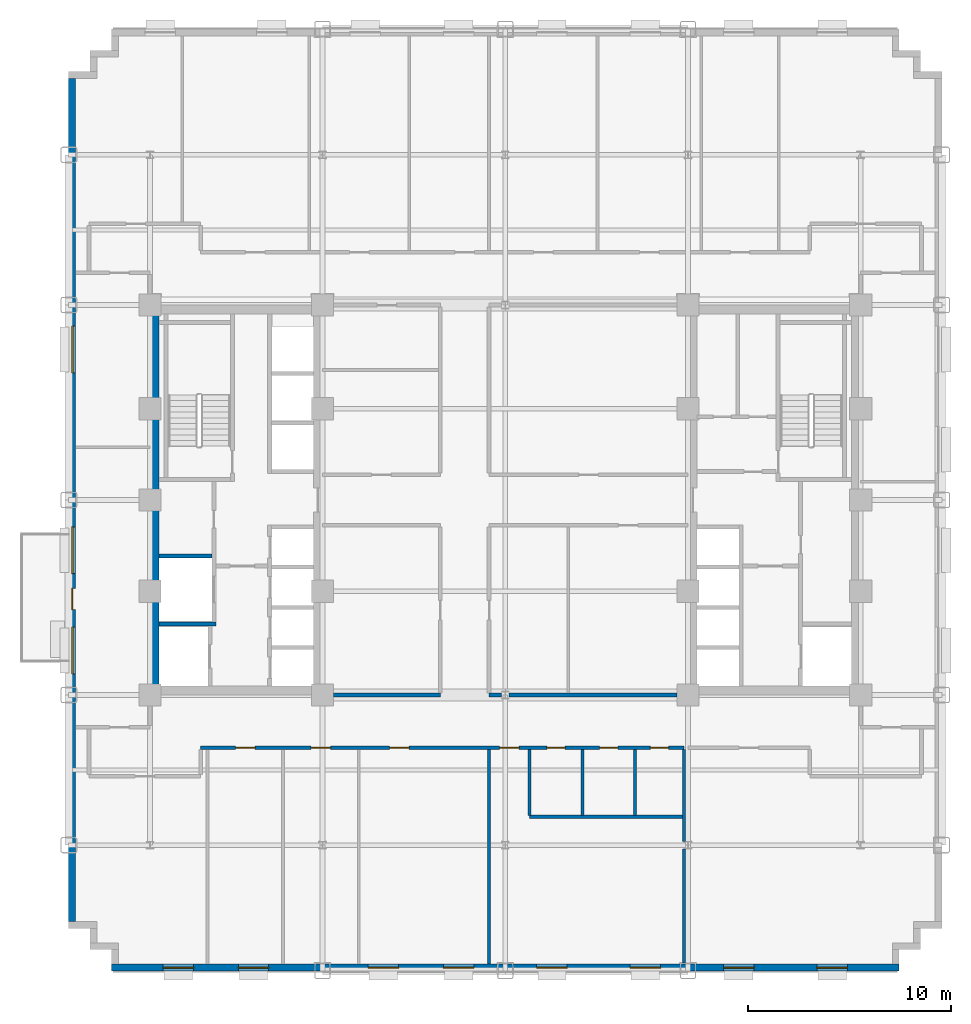
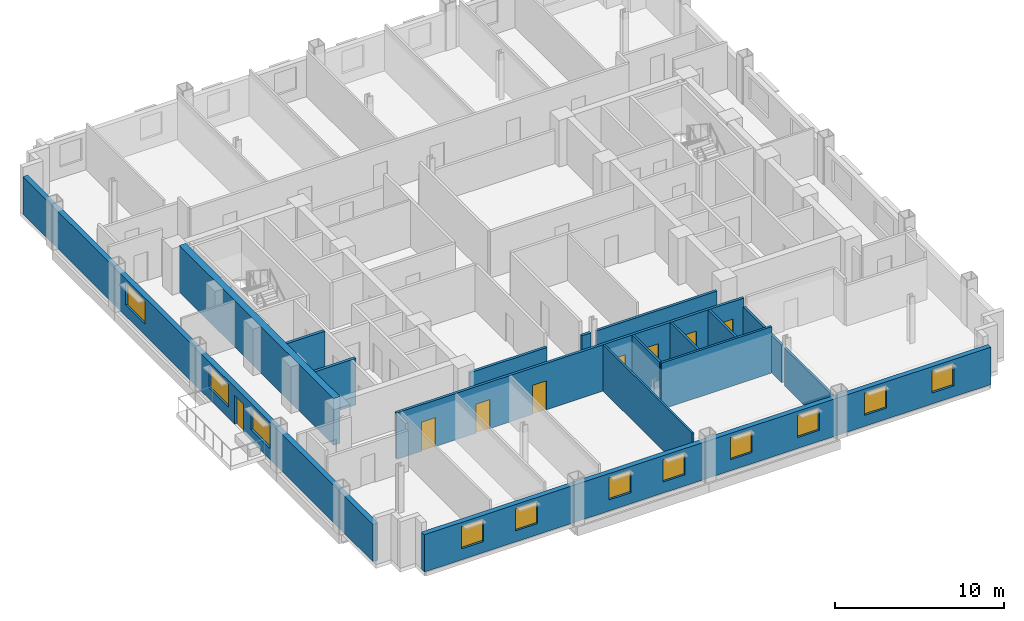
# One storey, part 6 of 14: 16 walls, 11 windows, 8 doors, 19 openings.
"""IFC4 building model written with IfcOpenShell, lengths in metres."""

from ifc_helpers import new_model, si_unit, direction, frame, frame_2d, origin, place, context, subcontext, project, spatial, rectangle, extrude, source, transform, mapped, material, layer, layer_set, type_object, type_shapes, element, fill, save


model = new_model("IFC4")

# Units and contexts
model_context = context("Model", 3, precision=1e-05, world=origin(), true_north=direction((0.0, 1.0)))
body_context = subcontext(model_context, "Body", "Model", "MODEL_VIEW")
ifc_project = project(units=[si_unit("LENGTHUNIT", "METRE"), si_unit("AREAUNIT", "SQUARE_METRE"), si_unit("VOLUMEUNIT", "CUBIC_METRE"), si_unit("PLANEANGLEUNIT", "RADIAN"), si_unit("MASSUNIT", "GRAM", prefix="KILO")], contexts=[model_context])

# Site, building, storey
site_placement = place(None, origin())
site = spatial("IfcSite", under=ifc_project, at=site_placement, CompositionType="ELEMENT")
building_placement = place(site_placement, origin())
building = spatial("IfcBuilding", under=site, at=building_placement, Name="Nuvemarco Arch Tower", CompositionType="ELEMENT")
storey_placement = place(building_placement, frame((0.0, 0.0, 67.75)))
storey = spatial("IfcBuildingStorey", under=building, at=storey_placement, Name="L17", CompositionType="ELEMENT", Elevation=67.75)

# Wall, openings, windows
ifc_material_1 = material(Name="Precast concrete C45/55", Category="concrete")
ifc_layer_1 = layer(ifc_material_1, 0.340087890625, Name="EW-LOW-340")
ifc_layer_set_1 = layer_set([ifc_layer_1], Name="Precast concrete C45/55")
wall_type_1 = type_object("IfcWallType", Name="EW-LOW-340", PredefinedType="STANDARD", material=ifc_layer_set_1)
wall_1_placement = place(storey_placement, frame((-19.39990234375, -23.030029296875, 0.0), z_axis=(0.0, 0.0, 1.0), x_axis=(1.0, 0.0, 0.0)))
wall_1 = element("IfcWall", 1, at=wall_1_placement, inside=storey, type_object=wall_type_1, Name="L17 exterior precast facade wall 1", PredefinedType="STANDARD", context=body_context, shape_type="SweptSolid", body=[
    extrude(rectangle(XDim=38.7998046875, YDim=0.340087890625, at=frame_2d((19.39990234375, 0.0))), origin(), (0.0, 0.0, 1.0), 2.705078125),
])
opening_1_placement = place(wall_1_placement, frame((2.550048828125, 0.0, 0.800048828125)))
opening_1 = element("IfcOpeningElement", 2, at=opening_1_placement, cuts=wall_1, Name="Opening WN-11", PredefinedType="OPENING", context=body_context, shape_type="SweptSolid", body=[
    extrude(rectangle(XDim=1.5, YDim=1.60009765625, at=frame_2d((0.75, 0.800048828125))), frame((0.0, 0.179931640625, 0.0), z_axis=(0.0, -1.0, 0.0), x_axis=(1.0, 0.0, 0.0)), (0.0, 0.0, 1.0), 0.360107421875),
])
opening_2_placement = place(wall_1_placement, frame((6.25, 0.0, 0.800048828125)))
opening_2 = element("IfcOpeningElement", 3, at=opening_2_placement, cuts=wall_1, Name="Opening WN-11", PredefinedType="OPENING", context=body_context, shape_type="SweptSolid", body=[
    extrude(rectangle(XDim=1.5, YDim=1.60009765625, at=frame_2d((0.75, 0.800048828125))), frame((0.0, 0.179931640625, 0.0), z_axis=(0.0, -1.0, 0.0), x_axis=(1.0, 0.0, 0.0)), (0.0, 0.0, 1.0), 0.360107421875),
])
opening_3_placement = place(wall_1_placement, frame((12.64990234375, 0.0, 0.800048828125)))
opening_3 = element("IfcOpeningElement", 4, at=opening_3_placement, cuts=wall_1, Name="Opening WN-11", PredefinedType="OPENING", context=body_context, shape_type="SweptSolid", body=[
    extrude(rectangle(XDim=1.5, YDim=1.60009765625, at=frame_2d((0.75, 0.800048828125))), frame((0.0, 0.179931640625, 0.0), z_axis=(0.0, -1.0, 0.0), x_axis=(1.0, 0.0, 0.0)), (0.0, 0.0, 1.0), 0.360107421875),
])
opening_4_placement = place(wall_1_placement, frame((16.35009765625, 0.0, 0.800048828125)))
opening_4 = element("IfcOpeningElement", 5, at=opening_4_placement, cuts=wall_1, Name="Opening WN-11", PredefinedType="OPENING", context=body_context, shape_type="SweptSolid", body=[
    extrude(rectangle(XDim=1.5, YDim=1.60009765625, at=frame_2d((0.75, 0.800048828125))), frame((0.0, 0.179931640625, 0.0), z_axis=(0.0, -1.0, 0.0), x_axis=(1.0, 0.0, 0.0)), (0.0, 0.0, 1.0), 0.360107421875),
])
opening_5_placement = place(wall_1_placement, frame((20.949951171875, 0.0, 0.800048828125)))
opening_5 = element("IfcOpeningElement", 6, at=opening_5_placement, cuts=wall_1, Name="Opening WN-11", PredefinedType="OPENING", context=body_context, shape_type="SweptSolid", body=[
    extrude(rectangle(XDim=1.5, YDim=1.60009765625, at=frame_2d((0.75, 0.800048828125))), frame((0.0, 0.179931640625, 0.0), z_axis=(0.0, -1.0, 0.0), x_axis=(1.0, 0.0, 0.0)), (0.0, 0.0, 1.0), 0.360107421875),
])
opening_6_placement = place(wall_1_placement, frame((25.550048828125, 0.0, 0.800048828125)))
opening_6 = element("IfcOpeningElement", 7, at=opening_6_placement, cuts=wall_1, Name="Opening WN-11", PredefinedType="OPENING", context=body_context, shape_type="SweptSolid", body=[
    extrude(rectangle(XDim=1.5, YDim=1.60009765625, at=frame_2d((0.75, 0.800048828125))), frame((0.0, 0.179931640625, 0.0), z_axis=(0.0, -1.0, 0.0), x_axis=(1.0, 0.0, 0.0)), (0.0, 0.0, 1.0), 0.360107421875),
])
opening_7_placement = place(wall_1_placement, frame((30.14990234375, 0.0, 0.800048828125)))
opening_7 = element("IfcOpeningElement", 8, at=opening_7_placement, cuts=wall_1, Name="Opening WN-11", PredefinedType="OPENING", context=body_context, shape_type="SweptSolid", body=[
    extrude(rectangle(XDim=1.5, YDim=1.60009765625, at=frame_2d((0.75, 0.800048828125))), frame((0.0, 0.179931640625, 0.0), z_axis=(0.0, -1.0, 0.0), x_axis=(1.0, 0.0, 0.0)), (0.0, 0.0, 1.0), 0.360107421875),
])
opening_8_placement = place(wall_1_placement, frame((34.75, 0.0, 0.800048828125)))
opening_8 = element("IfcOpeningElement", 9, at=opening_8_placement, cuts=wall_1, Name="Opening WN-11", PredefinedType="OPENING", context=body_context, shape_type="SweptSolid", body=[
    extrude(rectangle(XDim=1.5, YDim=1.60009765625, at=frame_2d((0.75, 0.800048828125))), frame((0.0, 0.179931640625, 0.0), z_axis=(0.0, -1.0, 0.0), x_axis=(1.0, 0.0, 0.0)), (0.0, 0.0, 1.0), 0.360107421875),
])
ifc_material_2 = material(Name="Insulated solar-control glass", Category="glass")
window_type_1 = type_object("IfcWindowType", Name="WN-STEP-1500x1850", PartitioningType="SINGLE_PANEL", PredefinedType="WINDOW", material=ifc_material_2)
shared_shape_1 = source(origin(), body_context, "Body", "SweptSolid", [
    extrude(rectangle(XDim=1.5, YDim=1.60009765625, at=frame_2d((0.75, 0.800048828125))), frame((0.0, 0.030029296875, 0.0), z_axis=(0.0, -1.0, 0.0), x_axis=(1.0, 0.0, 0.0)), (0.0, 0.0, 1.0), 0.06005859375),
])
type_shapes(window_type_1, [shared_shape_1])
window_1_placement = place(opening_1_placement, origin())
window_1 = element("IfcWindow", 10, at=window_1_placement, inside=storey, type_object=window_type_1, Name="L17 punched facade window 1", OverallHeight=1.60009765625, OverallWidth=1.5, PartitioningType="SINGLE_PANEL", PredefinedType="WINDOW", context=body_context, shape_type="MappedRepresentation", body=[
    mapped(shared_shape_1, transform((0.0, 0.0, 0.0), scale=1.0)),
])
fill(opening_1, window_1)
window_2_placement = place(opening_2_placement, origin())
window_2 = element("IfcWindow", 11, at=window_2_placement, inside=storey, type_object=window_type_1, Name="L17 punched facade window 2", OverallHeight=1.60009765625, OverallWidth=1.5, PartitioningType="SINGLE_PANEL", PredefinedType="WINDOW", context=body_context, shape_type="MappedRepresentation", body=[
    mapped(shared_shape_1, transform((0.0, 0.0, 0.0), scale=1.0)),
])
fill(opening_2, window_2)
window_3_placement = place(opening_3_placement, origin())
window_3 = element("IfcWindow", 12, at=window_3_placement, inside=storey, type_object=window_type_1, Name="L17 punched facade window 3", OverallHeight=1.60009765625, OverallWidth=1.5, PartitioningType="SINGLE_PANEL", PredefinedType="WINDOW", context=body_context, shape_type="MappedRepresentation", body=[
    mapped(shared_shape_1, transform((0.0, 0.0, 0.0), scale=1.0)),
])
fill(opening_3, window_3)
window_4_placement = place(opening_4_placement, origin())
window_4 = element("IfcWindow", 13, at=window_4_placement, inside=storey, type_object=window_type_1, Name="L17 punched facade window 4", OverallHeight=1.60009765625, OverallWidth=1.5, PartitioningType="SINGLE_PANEL", PredefinedType="WINDOW", context=body_context, shape_type="MappedRepresentation", body=[
    mapped(shared_shape_1, transform((0.0, 0.0, 0.0), scale=1.0)),
])
fill(opening_4, window_4)
window_5_placement = place(opening_5_placement, origin())
window_5 = element("IfcWindow", 14, at=window_5_placement, inside=storey, type_object=window_type_1, Name="L17 punched facade window 5", OverallHeight=1.60009765625, OverallWidth=1.5, PartitioningType="SINGLE_PANEL", PredefinedType="WINDOW", context=body_context, shape_type="MappedRepresentation", body=[
    mapped(shared_shape_1, transform((0.0, 0.0, 0.0), scale=1.0)),
])
fill(opening_5, window_5)
window_6_placement = place(opening_6_placement, origin())
window_6 = element("IfcWindow", 15, at=window_6_placement, inside=storey, type_object=window_type_1, Name="L17 punched facade window 6", OverallHeight=1.60009765625, OverallWidth=1.5, PartitioningType="SINGLE_PANEL", PredefinedType="WINDOW", context=body_context, shape_type="MappedRepresentation", body=[
    mapped(shared_shape_1, transform((0.0, 0.0, 0.0), scale=1.0)),
])
fill(opening_6, window_6)
window_7_placement = place(opening_7_placement, origin())
window_7 = element("IfcWindow", 16, at=window_7_placement, inside=storey, type_object=window_type_1, Name="L17 punched facade window 7", OverallHeight=1.60009765625, OverallWidth=1.5, PartitioningType="SINGLE_PANEL", PredefinedType="WINDOW", context=body_context, shape_type="MappedRepresentation", body=[
    mapped(shared_shape_1, transform((0.0, 0.0, 0.0), scale=1.0)),
])
fill(opening_7, window_7)
window_8_placement = place(opening_8_placement, origin())
window_8 = element("IfcWindow", 17, at=window_8_placement, inside=storey, type_object=window_type_1, Name="L17 punched facade window 8", OverallHeight=1.60009765625, OverallWidth=1.5, PartitioningType="SINGLE_PANEL", PredefinedType="WINDOW", context=body_context, shape_type="MappedRepresentation", body=[
    mapped(shared_shape_1, transform((0.0, 0.0, 0.0), scale=1.0)),
])
fill(opening_8, window_8)

# Wall, openings, door, windows
wall_2_placement = place(storey_placement, frame((-21.330078125, -20.763916015625, 0.0), z_axis=(0.0, 0.0, 1.0), x_axis=(0.0, 1.0, 0.0)))
wall_2 = element("IfcWall", 18, at=wall_2_placement, inside=storey, type_object=wall_type_1, Name="L17 exterior precast facade wall 16", PredefinedType="STANDARD", context=body_context, shape_type="SweptSolid", body=[
    extrude(rectangle(XDim=41.52783203125, YDim=0.340087890625, at=frame_2d((20.763916015625, 0.0))), origin(), (0.0, 0.0, 1.0), 2.705078125),
])
opening_9_placement = place(wall_2_placement, frame((15.364013671875, 0.0, 0.0)))
opening_9 = element("IfcOpeningElement", 19, at=opening_9_placement, cuts=wall_2, Name="Opening ED-5", PredefinedType="OPENING", context=body_context, shape_type="SweptSolid", body=[
    extrude(rectangle(XDim=1.050048828125, YDim=2.10009765625, at=frame_2d((0.52490234375, 1.050048828125))), frame((0.0, 0.179931640625, 0.0), z_axis=(0.0, -1.0, 0.0), x_axis=(1.0, 0.0, 0.0)), (0.0, 0.0, 1.0), 0.360107421875),
])
opening_10_placement = place(wall_2_placement, frame((12.202392578125, 0.0, 0.800048828125)))
opening_10 = element("IfcOpeningElement", 20, at=opening_10_placement, cuts=wall_2, Name="Opening WN-10", PredefinedType="OPENING", context=body_context, shape_type="SweptSolid", body=[
    extrude(rectangle(XDim=2.300048828125, YDim=1.6201171875, at=frame_2d((1.14990234375, 0.81005859375))), frame((0.0, 0.179931640625, 0.0), z_axis=(0.0, -1.0, 0.0), x_axis=(1.0, 0.0, 0.0)), (0.0, 0.0, 1.0), 0.360107421875),
])
opening_11_placement = place(wall_2_placement, frame((17.1435546875, 0.0, 0.800048828125)))
opening_11 = element("IfcOpeningElement", 21, at=opening_11_placement, cuts=wall_2, Name="Opening WN-10", PredefinedType="OPENING", context=body_context, shape_type="SweptSolid", body=[
    extrude(rectangle(XDim=2.300048828125, YDim=1.6201171875, at=frame_2d((1.14990234375, 0.81005859375))), frame((0.0, 0.179931640625, 0.0), z_axis=(0.0, -1.0, 0.0), x_axis=(1.0, 0.0, 0.0)), (0.0, 0.0, 1.0), 0.360107421875),
])
opening_12_placement = place(wall_2_placement, frame((27.025390625, 0.0, 0.800048828125)))
opening_12 = element("IfcOpeningElement", 22, at=opening_12_placement, cuts=wall_2, Name="Opening WN-10", PredefinedType="OPENING", context=body_context, shape_type="SweptSolid", body=[
    extrude(rectangle(XDim=2.300048828125, YDim=1.6201171875, at=frame_2d((1.14990234375, 0.81005859375))), frame((0.0, 0.179931640625, 0.0), z_axis=(0.0, -1.0, 0.0), x_axis=(1.0, 0.0, 0.0)), (0.0, 0.0, 1.0), 0.360107421875),
])
ifc_material_3 = material(Name="Anodised bronze and laminated glass", Category="glass")
door_type_1 = type_object("IfcDoorType", Name="DR-EXT-TERR", OperationType="NOTDEFINED", PredefinedType="DOOR", material=ifc_material_3)
shared_shape_2 = source(origin(), body_context, "Body", "SweptSolid", [
    extrude(rectangle(XDim=1.050048828125, YDim=2.10009765625, at=frame_2d((0.52490234375, 1.050048828125))), frame((0.0, 0.02490234375, 0.0), z_axis=(0.0, -1.0, 0.0), x_axis=(1.0, 0.0, 0.0)), (0.0, 0.0, 1.0), 0.050048828125),
])
type_shapes(door_type_1, [shared_shape_2])
door_1_placement = place(opening_9_placement, origin())
door_1 = element("IfcDoor", 23, at=door_1_placement, inside=storey, type_object=door_type_1, Name="L17 spiral terrace access door", OperationType="SINGLE_SWING_LEFT", OverallHeight=2.10009765625, OverallWidth=1.050048828125, PredefinedType="DOOR", context=body_context, shape_type="MappedRepresentation", body=[
    mapped(shared_shape_2, transform((0.0, 0.0, 0.0), scale=1.0)),
])
fill(opening_9, door_1)
window_type_2 = type_object("IfcWindowType", Name="WN-STEP-2300x1700", PartitioningType="DOUBLE_PANEL_VERTICAL", PredefinedType="WINDOW", material=ifc_material_2)
shared_shape_3 = source(origin(), body_context, "Body", "SweptSolid", [
    extrude(rectangle(XDim=2.300048828125, YDim=1.6201171875, at=frame_2d((1.14990234375, 0.81005859375))), frame((0.0, 0.030029296875, 0.0), z_axis=(0.0, -1.0, 0.0), x_axis=(1.0, 0.0, 0.0)), (0.0, 0.0, 1.0), 0.06005859375),
])
type_shapes(window_type_2, [shared_shape_3])
window_9_placement = place(opening_10_placement, origin())
window_9 = element("IfcWindow", 24, at=window_9_placement, inside=storey, type_object=window_type_2, Name="L17 punched facade window 3", OverallHeight=1.6201171875, OverallWidth=2.300048828125, PartitioningType="SINGLE_PANEL", PredefinedType="WINDOW", context=body_context, shape_type="MappedRepresentation", body=[
    mapped(shared_shape_3, transform((0.0, 0.0, 0.0), scale=1.0)),
])
fill(opening_10, window_9)
window_10_placement = place(opening_11_placement, origin())
window_10 = element("IfcWindow", 25, at=window_10_placement, inside=storey, type_object=window_type_2, Name="L17 punched facade window 4", OverallHeight=1.6201171875, OverallWidth=2.300048828125, PartitioningType="SINGLE_PANEL", PredefinedType="WINDOW", context=body_context, shape_type="MappedRepresentation", body=[
    mapped(shared_shape_3, transform((0.0, 0.0, 0.0), scale=1.0)),
])
fill(opening_11, window_10)
window_11_placement = place(opening_12_placement, origin())
window_11 = element("IfcWindow", 26, at=window_11_placement, inside=storey, type_object=window_type_2, Name="L17 punched facade window 6", OverallHeight=1.6201171875, OverallWidth=2.300048828125, PartitioningType="SINGLE_PANEL", PredefinedType="WINDOW", context=body_context, shape_type="MappedRepresentation", body=[
    mapped(shared_shape_3, transform((0.0, 0.0, 0.0), scale=1.0)),
])
fill(opening_12, window_11)

# Wall
ifc_material_4 = material(Name="Concrete C60/75", Category="concrete")
ifc_layer_2 = layer(ifc_material_4, 0.449951171875, Name="WL-CORE-450")
ifc_layer_set_2 = layer_set([ifc_layer_2], Name="Concrete C60/75")
wall_type_2 = type_object("IfcWallType", Name="WL-CORE-450", PredefinedType="SHEAR", material=ifc_layer_set_2)
wall_3_placement = place(storey_placement, frame((-17.27490234375, -9.155029296875, 0.0), z_axis=(0.0, 0.0, 1.0), x_axis=(0.0, 1.0, 0.0)))
element("IfcWall", 27, at=wall_3_placement, inside=storey, type_object=wall_type_2, Name="L17 W-core shear wall W", PredefinedType="SHEAR", context=body_context, shape_type="SweptSolid", body=[
    extrude(rectangle(XDim=18.31005859375, YDim=0.449951171875, at=frame_2d((9.155029296875, 0.0))), origin(), (0.0, 0.0, 1.0), 3.3701171875),
])

# Wall, openings, doors
ifc_material_5 = material(Name="Fire-rated gypsum drywall partition")
ifc_layer_3 = layer(ifc_material_5, 0.179931640625, Name="WL-CORR-180")
ifc_layer_set_3 = layer_set([ifc_layer_3], Name="Fire-rated gypsum drywall partition")
wall_type_3 = type_object("IfcWallType", Name="WL-CORR-180", PredefinedType="PARTITIONING", material=ifc_layer_set_3)
wall_4_placement = place(storey_placement, frame((-15.0, -12.199951171875, 0.0), z_axis=(0.0, 0.0, 1.0), x_axis=(1.0, 0.0, 0.0)))
wall_4 = element("IfcWall", 28, at=wall_4_placement, inside=storey, type_object=wall_type_3, Name="L17 interior wall IW-L17-004", PredefinedType="PARTITIONING", context=body_context, shape_type="SweptSolid", body=[
    extrude(rectangle(XDim=23.800048828125, YDim=0.179931640625, at=frame_2d((11.89990234375, 0.0))), origin(), (0.0, 0.0, 1.0), 3.360107421875),
])
opening_13_placement = place(wall_4_placement, frame((9.31005859375, 0.0, 0.0)))
opening_13 = element("IfcOpeningElement", 29, at=opening_13_placement, cuts=wall_4, Name="Opening FD-5", PredefinedType="OPENING", context=body_context, shape_type="SweptSolid", body=[
    extrude(rectangle(XDim=0.9599609375, YDim=2.10009765625, at=frame_2d((0.47998046875, 1.050048828125))), frame((0.0, 0.099853515625, 0.0), z_axis=(0.0, -1.0, 0.0), x_axis=(1.0, 0.0, 0.0)), (0.0, 0.0, 1.0), 0.199951171875),
])
opening_14_placement = place(wall_4_placement, frame((1.715087890625, 0.0, 0.0)))
opening_14 = element("IfcOpeningElement", 30, at=opening_14_placement, cuts=wall_4, Name="Opening FD-5", PredefinedType="OPENING", context=body_context, shape_type="SweptSolid", body=[
    extrude(rectangle(XDim=0.9599609375, YDim=2.10009765625, at=frame_2d((0.47998046875, 1.050048828125))), frame((0.0, 0.099853515625, 0.0), z_axis=(0.0, -1.0, 0.0), x_axis=(1.0, 0.0, 0.0)), (0.0, 0.0, 1.0), 0.199951171875),
])
opening_15_placement = place(wall_4_placement, frame((5.43994140625, 0.0, 0.0)))
opening_15 = element("IfcOpeningElement", 31, at=opening_15_placement, cuts=wall_4, Name="Opening FD-5", PredefinedType="OPENING", context=body_context, shape_type="SweptSolid", body=[
    extrude(rectangle(XDim=0.9599609375, YDim=2.10009765625, at=frame_2d((0.47998046875, 1.050048828125))), frame((0.0, 0.099853515625, 0.0), z_axis=(0.0, -1.0, 0.0), x_axis=(1.0, 0.0, 0.0)), (0.0, 0.0, 1.0), 0.199951171875),
])
opening_16_placement = place(wall_4_placement, frame((19.64990234375, 0.0, 0.0)))
opening_16 = element("IfcOpeningElement", 32, at=opening_16_placement, cuts=wall_4, Name="Opening ID-3", PredefinedType="OPENING", context=body_context, shape_type="SweptSolid", body=[
    extrude(rectangle(XDim=0.89990234375, YDim=2.10009765625, at=frame_2d((0.449951171875, 1.050048828125))), frame((0.0, 0.099853515625, 0.0), z_axis=(0.0, -1.0, 0.0), x_axis=(1.0, 0.0, 0.0)), (0.0, 0.0, 1.0), 0.199951171875),
])
opening_17_placement = place(wall_4_placement, frame((17.050048828125, 0.0, 0.0)))
opening_17 = element("IfcOpeningElement", 33, at=opening_17_placement, cuts=wall_4, Name="Opening ID-3", PredefinedType="OPENING", context=body_context, shape_type="SweptSolid", body=[
    extrude(rectangle(XDim=0.89990234375, YDim=2.10009765625, at=frame_2d((0.449951171875, 1.050048828125))), frame((0.0, 0.099853515625, 0.0), z_axis=(0.0, -1.0, 0.0), x_axis=(1.0, 0.0, 0.0)), (0.0, 0.0, 1.0), 0.199951171875),
])
opening_18_placement = place(wall_4_placement, frame((22.14990234375, 0.0, 0.0)))
opening_18 = element("IfcOpeningElement", 34, at=opening_18_placement, cuts=wall_4, Name="Opening ID-3", PredefinedType="OPENING", context=body_context, shape_type="SweptSolid", body=[
    extrude(rectangle(XDim=0.89990234375, YDim=2.10009765625, at=frame_2d((0.449951171875, 1.050048828125))), frame((0.0, 0.099853515625, 0.0), z_axis=(0.0, -1.0, 0.0), x_axis=(1.0, 0.0, 0.0)), (0.0, 0.0, 1.0), 0.199951171875),
])
opening_19_placement = place(wall_4_placement, frame((14.719970703125, 0.0, 0.0)))
opening_19 = element("IfcOpeningElement", 35, at=opening_19_placement, cuts=wall_4, Name="Opening FD-5", PredefinedType="OPENING", context=body_context, shape_type="SweptSolid", body=[
    extrude(rectangle(XDim=0.9599609375, YDim=2.10009765625, at=frame_2d((0.47998046875, 1.050048828125))), frame((0.0, 0.099853515625, 0.0), z_axis=(0.0, -1.0, 0.0), x_axis=(1.0, 0.0, 0.0)), (0.0, 0.0, 1.0), 0.199951171875),
])
ifc_material_6 = material(Name="Timber fire door", Category="wood")
door_type_2 = type_object("IfcDoorType", Name="DR-CORR-FD", OperationType="NOTDEFINED", PredefinedType="DOOR", material=ifc_material_6)
shared_shape_4 = source(origin(), body_context, "Body", "SweptSolid", [
    extrude(rectangle(XDim=0.9599609375, YDim=2.10009765625, at=frame_2d((0.47998046875, 1.050048828125))), frame((0.0, 0.02490234375, 0.0), z_axis=(0.0, -1.0, 0.0), x_axis=(1.0, 0.0, 0.0)), (0.0, 0.0, 1.0), 0.050048828125),
])
type_shapes(door_type_2, [shared_shape_4])
door_2_placement = place(opening_13_placement, origin())
door_2 = element("IfcDoor", 36, at=door_2_placement, inside=storey, type_object=door_type_2, Name="L17 door DR-L17-S_4", OperationType="SINGLE_SWING_RIGHT", OverallHeight=2.10009765625, OverallWidth=0.9599609375, PredefinedType="DOOR", context=body_context, shape_type="MappedRepresentation", body=[
    mapped(shared_shape_4, transform((0.0, 0.0, 0.0), scale=1.0)),
])
fill(opening_13, door_2)
door_3_placement = place(opening_14_placement, origin())
door_3 = element("IfcDoor", 37, at=door_3_placement, inside=storey, type_object=door_type_2, Name="L17 door DR-L17-S_2", OperationType="SINGLE_SWING_RIGHT", OverallHeight=2.10009765625, OverallWidth=0.9599609375, PredefinedType="DOOR", context=body_context, shape_type="MappedRepresentation", body=[
    mapped(shared_shape_4, transform((0.0, 0.0, 0.0), scale=1.0)),
])
fill(opening_14, door_3)
door_4_placement = place(opening_15_placement, origin())
door_4 = element("IfcDoor", 38, at=door_4_placement, inside=storey, type_object=door_type_2, Name="L17 door DR-L17-S_3", OperationType="SINGLE_SWING_LEFT", OverallHeight=2.10009765625, OverallWidth=0.9599609375, PredefinedType="DOOR", context=body_context, shape_type="MappedRepresentation", body=[
    mapped(shared_shape_4, transform((0.0, 0.0, 0.0), scale=1.0)),
])
fill(opening_15, door_4)
door_5_placement = place(opening_19_placement, origin())
door_5 = element("IfcDoor", 39, at=door_5_placement, inside=storey, type_object=door_type_2, Name="L17 door DR-L17-S_5", OperationType="SINGLE_SWING_RIGHT", OverallHeight=2.10009765625, OverallWidth=0.9599609375, PredefinedType="DOOR", context=body_context, shape_type="MappedRepresentation", body=[
    mapped(shared_shape_4, transform((0.0, 0.0, 0.0), scale=1.0)),
])
fill(opening_19, door_5)
ifc_material_7 = material(Name="Veneered oak timber fire door", Category="wood")
door_type_3 = type_object("IfcDoorType", Name="DR-WC-ACC", OperationType="NOTDEFINED", PredefinedType="DOOR", material=ifc_material_7)
shared_shape_5 = source(origin(), body_context, "Body", "SweptSolid", [
    extrude(rectangle(XDim=0.89990234375, YDim=2.10009765625, at=frame_2d((0.449951171875, 1.050048828125))), frame((0.0, 0.02490234375, 0.0), z_axis=(0.0, -1.0, 0.0), x_axis=(1.0, 0.0, 0.0)), (0.0, 0.0, 1.0), 0.050048828125),
])
type_shapes(door_type_3, [shared_shape_5])
door_6_placement = place(opening_16_placement, origin())
door_6 = element("IfcDoor", 40, at=door_6_placement, inside=storey, type_object=door_type_3, Name="L17 door DR-L17-WC_F", OperationType="SINGLE_SWING_RIGHT", OverallHeight=2.10009765625, OverallWidth=0.89990234375, PredefinedType="DOOR", context=body_context, shape_type="MappedRepresentation", body=[
    mapped(shared_shape_5, transform((0.0, 0.0, 0.0), scale=1.0)),
])
fill(opening_16, door_6)
door_7_placement = place(opening_17_placement, origin())
door_7 = element("IfcDoor", 41, at=door_7_placement, inside=storey, type_object=door_type_3, Name="L17 door DR-L17-WC_M", OperationType="SINGLE_SWING_LEFT", OverallHeight=2.10009765625, OverallWidth=0.89990234375, PredefinedType="DOOR", context=body_context, shape_type="MappedRepresentation", body=[
    mapped(shared_shape_5, transform((0.0, 0.0, 0.0), scale=1.0)),
])
fill(opening_17, door_7)
door_8_placement = place(opening_18_placement, origin())
door_8 = element("IfcDoor", 42, at=door_8_placement, inside=storey, type_object=door_type_3, Name="L17 door DR-L17-WC_ACC", OperationType="SINGLE_SWING_RIGHT", OverallHeight=2.10009765625, OverallWidth=0.89990234375, PredefinedType="DOOR", context=body_context, shape_type="MappedRepresentation", body=[
    mapped(shared_shape_5, transform((0.0, 0.0, 0.0), scale=1.0)),
])
fill(opening_18, door_8)

# Walls
wall_5_placement = place(storey_placement, frame((-8.4541015625, -9.60009765625, 0.0), z_axis=(0.0, 0.0, 1.0), x_axis=(1.0, 0.0, 0.0)))
element("IfcWall", 43, at=wall_5_placement, inside=storey, type_object=wall_type_3, Name="L17 interior wall IW-L17-008", PredefinedType="PARTITIONING", context=body_context, shape_type="SweptSolid", body=[
    extrude(rectangle(XDim=5.254150390625, YDim=0.179931640625, at=frame_2d((2.626953125, 0.0))), origin(), (0.0, 0.0, 1.0), 2.405029296875),
])
wall_6_placement = place(storey_placement, frame((-0.800048828125, -9.60009765625, 0.0), z_axis=(0.0, 0.0, 1.0), x_axis=(1.0, 0.0, 0.0)))
element("IfcWall", 44, at=wall_6_placement, inside=storey, type_object=wall_type_3, Name="L17 interior wall IW-L17-009", PredefinedType="PARTITIONING", context=body_context, shape_type="SweptSolid", body=[
    extrude(rectangle(XDim=0.6240234375, YDim=0.179931640625, at=frame_2d((0.31201171875, 0.0))), origin(), (0.0, 0.0, 1.0), 2.405029296875),
])
wall_7_placement = place(storey_placement, frame((0.176025390625, -9.60009765625, 0.0), z_axis=(0.0, 0.0, 1.0), x_axis=(1.0, 0.0, 0.0)))
element("IfcWall", 45, at=wall_7_placement, inside=storey, type_object=wall_type_3, Name="L17 interior wall IW-L17-010", PredefinedType="PARTITIONING", context=body_context, shape_type="SweptSolid", body=[
    extrude(rectangle(XDim=8.278076171875, YDim=0.179931640625, at=frame_2d((4.13916015625, 0.0))), origin(), (0.0, 0.0, 1.0), 2.405029296875),
])
ifc_material_8 = material(Name="Glazed acoustic office partition")
ifc_layer_4 = layer(ifc_material_8, 0.1298828125, Name="WL-EXEC-130")
ifc_layer_set_4 = layer_set([ifc_layer_4], Name="Glazed acoustic office partition")
wall_type_4 = type_object("IfcWallType", Name="WL-EXEC-130", PredefinedType="PARTITIONING", material=ifc_layer_set_4)
wall_8_placement = place(storey_placement, frame((-0.800048828125, -22.860107421875, 0.0), z_axis=(0.0, 0.0, 1.0), x_axis=(0.0, 1.0, 0.0)))
element("IfcWall", 46, at=wall_8_placement, inside=storey, type_object=wall_type_4, Name="L17 interior wall IW-L17-040", PredefinedType="PARTITIONING", context=body_context, shape_type="SweptSolid", body=[
    extrude(rectangle(XDim=10.57421875, YDim=0.1298828125, at=frame_2d((5.287109375, 0.0))), origin(), (0.0, 0.0, 1.0), 3.360107421875),
])
ifc_material_9 = material(Name="Concrete C50/60", Category="concrete")
ifc_layer_5 = layer(ifc_material_9, 0.199951171875, Name="WL-SHAFT-220")
ifc_layer_set_5 = layer_set([ifc_layer_5], Name="Concrete C50/60")
wall_type_5 = type_object("IfcWallType", Name="WL-SHAFT-220", PredefinedType="SHEAR", material=ifc_layer_set_5)
wall_9_placement = place(storey_placement, frame((-17.054931640625, -6.10009765625, 0.0), z_axis=(0.0, 0.0, 1.0), x_axis=(1.0, 0.0, 0.0)))
element("IfcWall", 47, at=wall_9_placement, inside=storey, type_object=wall_type_5, Name="L17 structural shaft wall SW-L17-W-SH1", PredefinedType="SHEAR", context=body_context, shape_type="SweptSolid", body=[
    extrude(rectangle(XDim=2.804931640625, YDim=0.199951171875, at=frame_2d((1.40234375, 0.0))), origin(), (0.0, 0.0, 1.0), 3.3701171875),
])
wall_10_placement = place(storey_placement, frame((-17.054931640625, -2.75, 0.0), z_axis=(0.0, 0.0, 1.0), x_axis=(1.0, 0.0, 0.0)))
element("IfcWall", 48, at=wall_10_placement, inside=storey, type_object=wall_type_5, Name="L17 structural shaft wall SW-L17-W-SH2", PredefinedType="SHEAR", context=body_context, shape_type="SweptSolid", body=[
    extrude(rectangle(XDim=2.60986328125, YDim=0.199951171875, at=frame_2d((1.304931640625, 0.0))), origin(), (0.0, 0.0, 1.0), 3.3701171875),
])
ifc_material_10 = material(Name="Moisture-resistant gypsum partition")
ifc_layer_6 = layer(ifc_material_10, 0.14990234375, Name="WL-WET-150")
ifc_layer_set_6 = layer_set([ifc_layer_6], Name="Moisture-resistant gypsum partition")
wall_type_6 = type_object("IfcWallType", Name="WL-WET-150", PredefinedType="PARTITIONING", material=ifc_layer_set_6)
wall_11_placement = place(storey_placement, frame((1.199951171875, -15.60009765625, 0.0), z_axis=(0.0, 0.0, 1.0), x_axis=(1.0, 0.0, 0.0)))
element("IfcWall", 49, at=wall_11_placement, inside=storey, type_object=wall_type_6, Name="L17 interior wall IW-L17-001", PredefinedType="PARTITIONING", context=body_context, shape_type="SweptSolid", body=[
    extrude(rectangle(XDim=7.5390625, YDim=0.14990234375, at=frame_2d((3.76953125, 0.0))), origin(), (0.0, 0.0, 1.0), 3.360107421875),
])
for number, where, z_axis, x_axis, name in (
    (50, (1.199951171875, -15.529052734375, 0.0), (0.0, 0.0, 1.0), (0.0, 1.0, 0.0), "L17 interior wall IW-L17-044"),
    (51, (3.800048828125, -15.529052734375, 0.0), (0.0, 0.0, 1.0), (0.0, 1.0, 0.0), "L17 interior wall IW-L17-046"),
    (52, (6.39990234375, -15.529052734375, 0.0), (0.0, 0.0, 1.0), (0.0, 1.0, 0.0), "L17 interior wall IW-L17-048"),
):
    element("IfcWall", number, at=place(storey_placement, frame(where, z_axis=z_axis, x_axis=x_axis)), inside=storey, type_object=wall_type_6, Name=name, PredefinedType="PARTITIONING", context=body_context, shape_type="SweptSolid", body=[
        extrude(rectangle(XDim=3.2431640625, YDim=0.14990234375, at=frame_2d((1.62158203125, 0.0))), origin(), (0.0, 0.0, 1.0), 3.360107421875),
    ])
wall_12_placement = place(storey_placement, frame((8.800048828125, -22.803955078125, 0.0), z_axis=(0.0, 0.0, 1.0), x_axis=(0.0, 1.0, 0.0)))
element("IfcWall", 53, at=wall_12_placement, inside=storey, type_object=wall_type_6, Name="L17 interior wall IW-L17-049", PredefinedType="PARTITIONING", context=body_context, shape_type="SweptSolid", body=[
    extrude(rectangle(XDim=5.6279296875, YDim=0.14990234375, at=frame_2d((2.81396484375, 0.0))), origin(), (0.0, 0.0, 1.0), 2.738037109375),
])
wall_13_placement = place(storey_placement, frame((8.800048828125, -16.823974609375, 0.0), z_axis=(0.0, 0.0, 1.0), x_axis=(0.0, 1.0, 0.0)))
element("IfcWall", 54, at=wall_13_placement, inside=storey, type_object=wall_type_6, Name="L17 interior wall IW-L17-050", PredefinedType="PARTITIONING", context=body_context, shape_type="SweptSolid", body=[
    extrude(rectangle(XDim=4.5380859375, YDim=0.14990234375, at=frame_2d((2.26904296875, 0.0))), origin(), (0.0, 0.0, 1.0), 2.738037109375),
])

save(model, "model.ifc")
